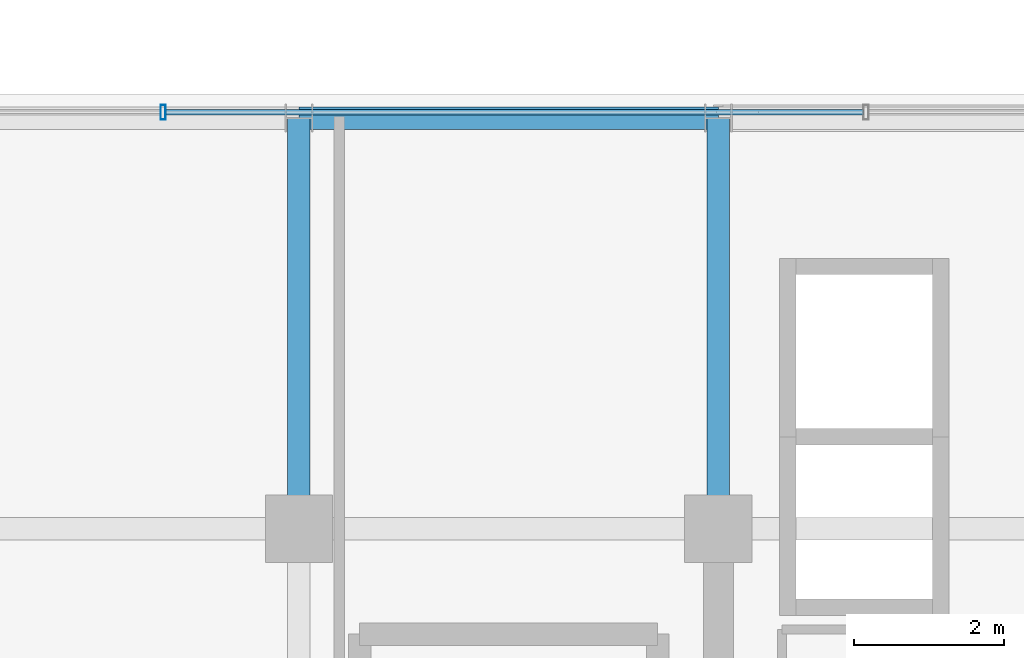
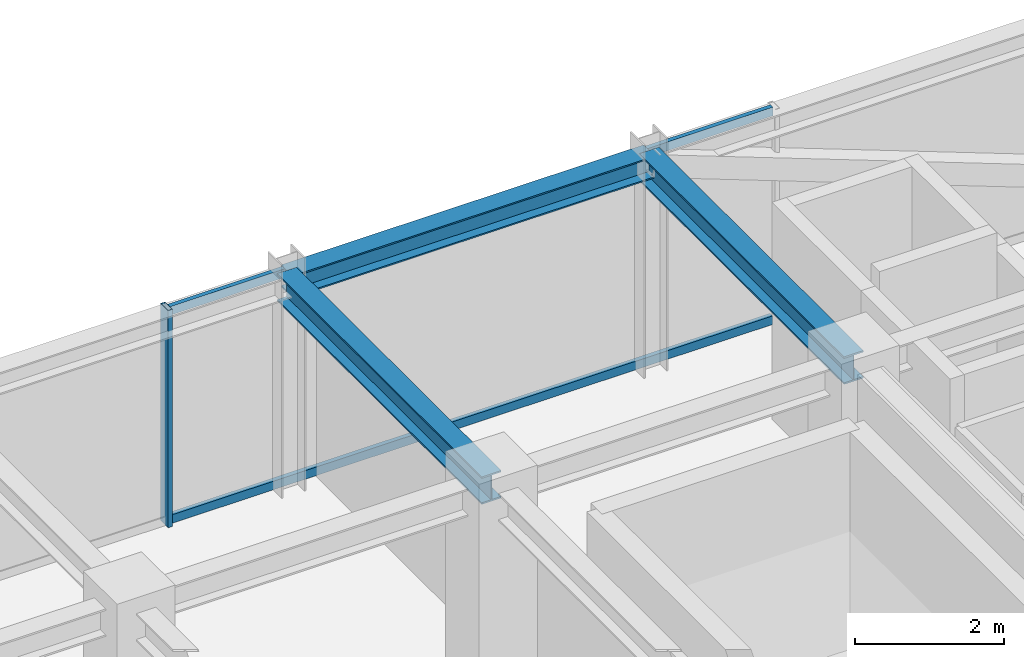
# One storey, part 27 of 39: 3 beams, 3 members, 1 element without a shape of its own.
"""IFC4 building model written with IfcOpenShell, lengths in metres."""

from ifc_helpers import new_model, si_unit, direction, frame, origin, origin_2d, place, context, subcontext, project, spatial, hollow_rectangle, i_section, extrude, source, transform, mapped, material, material_profile, profile_set, type_object, element, aggregate, save


model = new_model("IFC4")

# Units and contexts
model_context = context("Model", 3, precision=1e-05, world=origin(), true_north=direction((0.0, 1.0)))
body_context = subcontext(model_context, "Body", "Model", "MODEL_VIEW")
ifc_project = project(units=[si_unit("LENGTHUNIT", "METRE"), si_unit("AREAUNIT", "SQUARE_METRE"), si_unit("VOLUMEUNIT", "CUBIC_METRE"), si_unit("PLANEANGLEUNIT", "RADIAN"), si_unit("MASSUNIT", "GRAM", prefix="KILO")], contexts=[model_context])

# Site, building, storey
site_placement = place(None, origin())
site = spatial("IfcSite", under=ifc_project, at=site_placement, CompositionType="ELEMENT")
building_placement = place(site_placement, origin())
building = spatial("IfcBuilding", under=site, at=building_placement, Name="Nahalor Promenade Grand Hotel", CompositionType="ELEMENT")
storey_placement = place(building_placement, frame((0.0, 0.0, 311.89990234375)))
storey = spatial("IfcBuildingStorey", under=building, at=storey_placement, Name="L80", CompositionType="ELEMENT", Elevation=311.89990234375)

# Beams
ifc_material_1 = material(Name="Steel S355JR", Category="steel")
ifc_material_profile_1 = material_profile(ifc_material_1, i_section(OverallWidth=0.3, OverallDepth=0.45, WebThickness=0.014, FlangeThickness=0.026, at=origin_2d()), Name="HEB 450")
ifc_profile_set_1 = profile_set([ifc_material_profile_1], Name="Steel S355JR")
beam_type_1 = type_object("IfcBeamType", Name="Beam-Girder-HEB450", PredefinedType="BEAM", material=ifc_profile_set_1)
shared_shape_1 = source(origin(), body_context, "Body", "SweptSolid", [
    extrude(i_section(OverallWidth=0.3, OverallDepth=0.45, WebThickness=0.014, FlangeThickness=0.026, at=origin_2d()), origin(), (0.0, 0.0, 1.0), 5.47998046875),
])
for number, where, z_axis, x_axis, name in (
    (1, (2.800048828125, 17.0, 3.3251953125), (0.0, 1.0, 0.0), (-1.0, 0.0, 0.0), "BM-L80-GY-3-4"),
    (2, (8.39990234375, 17.0, 3.3251953125), (0.0, 1.0, 0.0), (-1.0, 0.0, 0.0), "BM-L80-GY-4-4"),
):
    element("IfcBeam", number, at=place(storey_placement, frame(where, z_axis=z_axis, x_axis=x_axis)), inside=storey, type_object=beam_type_1, Name=name, PredefinedType="BEAM", context=body_context, shape_type="MappedRepresentation", body=[
        mapped(shared_shape_1, transform((0.0, 0.0, 0.0), scale=1.0)),
    ])
ifc_material_profile_2 = material_profile(ifc_material_1, i_section(OverallWidth=0.3, OverallDepth=0.36, WebThickness=0.0125, FlangeThickness=0.0225, at=origin_2d()), Name="HEB 360")
ifc_profile_set_2 = profile_set([ifc_material_profile_2], Name="Steel S355JR")
beam_type_2 = type_object("IfcBeamType", Name="Beam-Spandrel-HEB360", PredefinedType="SPANDREL", material=ifc_profile_set_2)
shared_shape_2 = source(origin(), body_context, "Body", "SweptSolid", [
    extrude(i_section(OverallWidth=0.3, OverallDepth=0.36, WebThickness=0.0125, FlangeThickness=0.0225, at=origin_2d()), origin(), (0.0, 0.0, 1.0), 5.599853515625),
])
beam_placement = place(storey_placement, frame((2.800048828125, 22.47998046875, 3.3701171875), z_axis=(1.0, 0.0, 0.0), x_axis=(0.0, 1.0, 0.0)))
element("IfcBeam", 3, at=beam_placement, inside=storey, type_object=beam_type_2, Name="BM-L80-SP-N-3", PredefinedType="SPANDREL", context=body_context, shape_type="MappedRepresentation", body=[
    mapped(shared_shape_2, transform((0.0, 0.0, 0.0), scale=1.0)),
])

# Curtain wall, members
ifc_material_2 = material(Name="Anodised Bronze Aluminium EN AW-6063 T6", Category="aluminium")
curtain_wall_type = type_object("IfcCurtainWallType", Name="CW3 Elliptical-Void Collar Unitised Curtain Wall", PredefinedType="USERDEFINED", material=ifc_material_2)
curtain_wall_placement = place(storey_placement, origin())
curtain_wall = element("IfcCurtainWall", 4, at=curtain_wall_placement, inside=storey, type_object=curtain_wall_type, Name="L80 Curtain Wall CW-L80-N-3", ObjectType="UNITISED_CURTAIN_WALL", PredefinedType="USERDEFINED")
ifc_material_profile_3 = material_profile(ifc_material_2, hollow_rectangle(XDim=0.07, YDim=0.14, WallThickness=0.004, at=origin_2d()), Name="CWT 70x140x4")
ifc_profile_set_3 = profile_set([ifc_material_profile_3], Name="Anodised Bronze Aluminium EN AW-6063 T6")
member_type_1 = type_object("IfcMemberType", Name="CWT3 Void Collar Transom 70x140", PredefinedType="USERDEFINED", material=ifc_profile_set_3)
shared_shape_3 = source(origin(), body_context, "Body", "SweptSolid", [
    extrude(hollow_rectangle(XDim=0.07, YDim=0.14, WallThickness=0.004, at=origin_2d()), origin(), (0.0, 0.0, 1.0), 9.316650390625),
])
member_1_placement = place(storey_placement, frame((1.021728515625, 22.56005859375, 0.070068359375), z_axis=(1.0, 0.0, 0.0), x_axis=(0.0, 1.0, 0.0)))
member_1 = element("IfcMember", 5, at=member_1_placement, type_object=member_type_1, Name="CW-L80-N-3 Transom 1-0", ObjectType="TRANSOM", PredefinedType="USERDEFINED", context=body_context, shape_type="MappedRepresentation", body=[
    mapped(shared_shape_3, transform((0.0, 0.0, 0.0), scale=1.0)),
])
member_2_placement = place(storey_placement, frame((1.021728515625, 22.56005859375, 3.47998046875), z_axis=(1.0, 0.0, 0.0), x_axis=(0.0, 1.0, 0.0)))
member_2 = element("IfcMember", 6, at=member_2_placement, type_object=member_type_1, Name="CW-L80-N-3 Transom 1-1", ObjectType="TRANSOM", PredefinedType="USERDEFINED", context=body_context, shape_type="MappedRepresentation", body=[
    mapped(shared_shape_3, transform((0.0, 0.0, 0.0), scale=1.0)),
])
ifc_material_profile_4 = material_profile(ifc_material_2, hollow_rectangle(XDim=0.07, YDim=0.2, WallThickness=0.005, at=origin_2d()), Name="CWM 70x200x5")
ifc_profile_set_4 = profile_set([ifc_material_profile_4], Name="Anodised Bronze Aluminium EN AW-6063 T6")
member_type_2 = type_object("IfcMemberType", Name="CWM3 Void Collar Mullion 70x200", PredefinedType="MULLION", material=ifc_profile_set_4)
shared_shape_4 = source(origin(), body_context, "Body", "SweptSolid", [
    extrude(hollow_rectangle(XDim=0.07, YDim=0.2, WallThickness=0.005, at=origin_2d()), origin(), (0.0, 0.0, 1.0), 3.550048828125),
])
member_3_placement = place(storey_placement, frame((0.986572265625, 22.56005859375, 0.0), z_axis=(0.0, 0.0, 1.0), x_axis=(1.0, 0.0, 0.0)))
member_3 = element("IfcMember", 7, at=member_3_placement, type_object=member_type_2, Name="CW-L80-N-3 Mullion 1", PredefinedType="MULLION", context=body_context, shape_type="MappedRepresentation", body=[
    mapped(shared_shape_4, transform((0.0, 0.0, 0.0), scale=1.0)),
])
aggregate(curtain_wall, [member_3, member_1, member_2])

save(model, "model.ifc")
